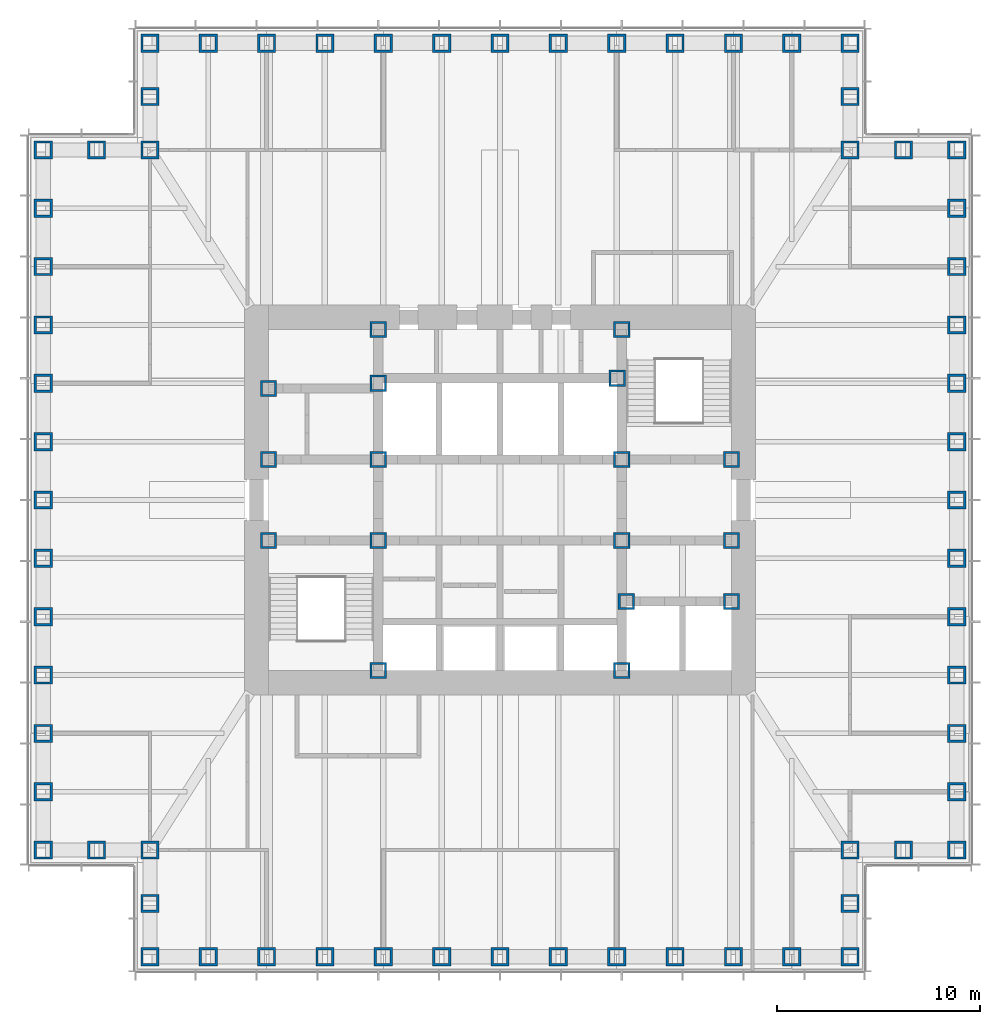
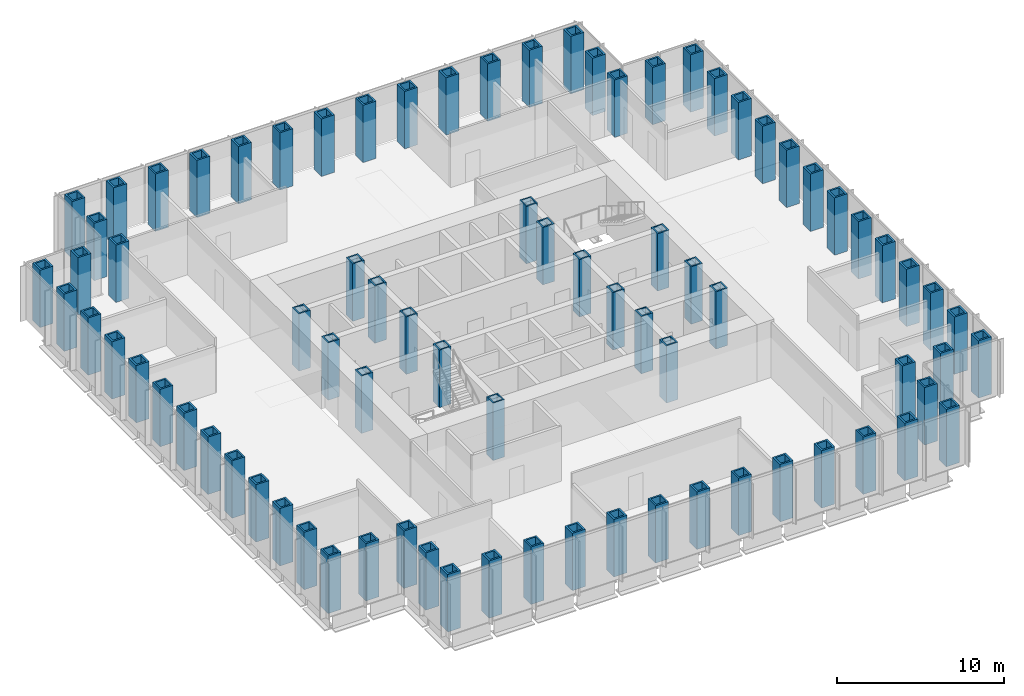
# One storey, part 1 of 17: 81 columns.
"""IFC4 building model written with IfcOpenShell, lengths in metres."""

from ifc_helpers import new_model, si_unit, direction, frame, origin, origin_2d, place, context, subcontext, project, spatial, hollow_rectangle, extrude, material, material_profile, profile_set, type_object, element, save


model = new_model("IFC4")

# Units and contexts
model_context = context("Model", 3, precision=1e-05, world=origin(), true_north=direction((0.0, 1.0)))
body_context = subcontext(model_context, "Body", "Model", "MODEL_VIEW")
ifc_project = project(units=[si_unit("LENGTHUNIT", "METRE"), si_unit("AREAUNIT", "SQUARE_METRE"), si_unit("VOLUMEUNIT", "CUBIC_METRE"), si_unit("PLANEANGLEUNIT", "RADIAN"), si_unit("MASSUNIT", "GRAM", prefix="KILO")], contexts=[model_context])

# Site, building, storey
site_placement = place(None, origin())
site = spatial("IfcSite", under=ifc_project, at=site_placement, CompositionType="ELEMENT")
building_placement = place(site_placement, origin())
building = spatial("IfcBuilding", under=site, at=building_placement, Name="Daluyong Arena Tower", CompositionType="ELEMENT")
storey_placement = place(building_placement, frame((0.0, 0.0, 150.10009765625)))
storey = spatial("IfcBuildingStorey", under=building, at=storey_placement, Name="L33", CompositionType="ELEMENT", Elevation=150.10009765625)

# Columns
ifc_material_1 = material(Name="Steel ASTM A572 Grade 50", Category="steel")
ifc_material_profile_1 = material_profile(ifc_material_1, hollow_rectangle(XDim=0.800048828125, YDim=0.800048828125, WallThickness=0.1, at=origin_2d()))
ifc_profile_set_1 = profile_set([ifc_material_profile_1], Name="Steel ASTM A572 Grade 50")
column_type_1 = type_object("IfcColumnType", Name="Core boundary column BX800X100", PredefinedType="COLUMN", material=ifc_profile_set_1)
for number, where, z_axis, x_axis, name in (
    (1, (44.60009765625, 78.0, 0.0), (0.0, 0.0, 1.0), (1.0, 0.0, 0.0), "core boundary column BC2"),
    (2, (44.60009765625, 82.0, 0.0), (0.0, 0.0, 1.0), (1.0, 0.0, 0.0), "core boundary column BC2"),
    (3, (44.60009765625, 85.5, 0.0), (0.0, 0.0, 1.0), (1.0, 0.0, 0.0), "core boundary column BC2"),
    (4, (50.0, 71.60009765625, 0.0), (0.0, 0.0, 1.0), (1.0, 0.0, 0.0), "core boundary column BC2"),
    (5, (50.0, 78.0, 0.0), (0.0, 0.0, 1.0), (1.0, 0.0, 0.0), "core boundary column BC2"),
    (6, (50.0, 82.0, 0.0), (0.0, 0.0, 1.0), (1.0, 0.0, 0.0), "core boundary column BC2"),
    (7, (50.0, 85.75, 0.0), (0.0, 0.0, 1.0), (1.0, 0.0, 0.0), "core boundary column BC2"),
    (8, (50.0, 88.39990234375, 0.0), (0.0, 0.0, 1.0), (1.0, 0.0, 0.0), "core boundary column BC2"),
    (9, (61.77490234375, 86.0, 0.0), (0.0, 0.0, 1.0), (1.0, 0.0, 0.0), "core boundary column BC2"),
    (10, (62.0, 71.60009765625, 0.0), (0.0, 0.0, 1.0), (1.0, 0.0, 0.0), "core boundary column BC2"),
    (11, (62.0, 78.0, 0.0), (0.0, 0.0, 1.0), (1.0, 0.0, 0.0), "core boundary column BC2"),
    (12, (62.0, 82.0, 0.0), (0.0, 0.0, 1.0), (1.0, 0.0, 0.0), "core boundary column BC2"),
    (13, (62.0, 88.39990234375, 0.0), (0.0, 0.0, 1.0), (1.0, 0.0, 0.0), "core boundary column BC2"),
    (14, (62.22509765625, 75.0, 0.0), (0.0, 0.0, 1.0), (1.0, 0.0, 0.0), "core boundary column BC2"),
    (15, (67.39990234375, 75.0, 0.0), (0.0, 0.0, 1.0), (1.0, 0.0, 0.0), "core boundary column BC2"),
    (16, (67.39990234375, 78.0, 0.0), (0.0, 0.0, 1.0), (1.0, 0.0, 0.0), "core boundary column BC2"),
    (17, (67.39990234375, 82.0, 0.0), (0.0, 0.0, 1.0), (1.0, 0.0, 0.0), "core boundary column BC2"),
):
    element("IfcColumn", number, at=place(storey_placement, frame(where, z_axis=z_axis, x_axis=x_axis)), inside=storey, type_object=column_type_1, Name=name, PredefinedType="COLUMN", context=body_context, shape_type="SweptSolid", body=[
        extrude(hollow_rectangle(XDim=0.800048828125, YDim=0.800048828125, WallThickness=0.1, at=origin_2d()), origin(), (0.0, 0.0, 1.0), 4.199951171875),
    ])
ifc_material_2 = material(Name="Steel ASTM A588 Grade 50", Category="steel")
ifc_material_profile_2 = material_profile(ifc_material_2, hollow_rectangle(XDim=0.89990234375, YDim=0.89990234375, WallThickness=0.12, at=origin_2d()))
ifc_profile_set_2 = profile_set([ifc_material_profile_2], Name="Steel ASTM A588 Grade 50")
column_type_2 = type_object("IfcColumnType", Name="Tube column BX900X120 BX900X120", PredefinedType="COLUMN", material=ifc_profile_set_2)
for number, where, z_axis, x_axis, name in (
    (18, (38.75, 57.5, 0.0), (0.0, 0.0, 1.0), (1.0, 0.0, 0.0), "tube column bx900x120 TC4"),
    (19, (41.625, 57.5, 0.0), (0.0, 0.0, 1.0), (1.0, 0.0, 0.0), "tube column bx900x120 TC4"),
    (20, (44.5, 57.5, 0.0), (0.0, 0.0, 1.0), (1.0, 0.0, 0.0), "tube column bx900x120 TC4"),
    (21, (47.375, 57.5, 0.0), (0.0, 0.0, 1.0), (1.0, 0.0, 0.0), "tube column bx900x120 TC4"),
    (22, (50.25, 57.5, 0.0), (0.0, 0.0, 1.0), (1.0, 0.0, 0.0), "tube column bx900x120 TC4"),
    (23, (53.125, 57.5, 0.0), (0.0, 0.0, 1.0), (1.0, 0.0, 0.0), "tube column bx900x120 TC4"),
    (24, (56.0, 57.5, 0.0), (0.0, 0.0, 1.0), (1.0, 0.0, 0.0), "tube column bx900x120 TC4"),
    (25, (58.875, 57.5, 0.0), (0.0, 0.0, 1.0), (1.0, 0.0, 0.0), "tube column bx900x120 TC4"),
    (26, (61.75, 57.5, 0.0), (0.0, 0.0, 1.0), (1.0, 0.0, 0.0), "tube column bx900x120 TC4"),
    (27, (64.625, 57.5, 0.0), (0.0, 0.0, 1.0), (1.0, 0.0, 0.0), "tube column bx900x120 TC4"),
    (28, (67.5, 57.5, 0.0), (0.0, 0.0, 1.0), (1.0, 0.0, 0.0), "tube column bx900x120 TC4"),
    (29, (70.375, 57.5, 0.0), (0.0, 0.0, 1.0), (1.0, 0.0, 0.0), "tube column bx900x120 TC4"),
    (30, (73.25, 57.5, 0.0), (0.0, 0.0, 1.0), (0.0, 1.0, 0.0), "tube column bx900x120 TC4"),
    (31, (73.25, 60.125, 0.0), (0.0, 0.0, 1.0), (0.0, 1.0, 0.0), "tube column bx900x120 TC4"),
    (32, (73.25, 62.75, 0.0), (0.0, 0.0, 1.0), (1.0, 0.0, 0.0), "tube column bx900x120 TC4"),
    (33, (75.875, 62.75, 0.0), (0.0, 0.0, 1.0), (1.0, 0.0, 0.0), "tube column bx900x120 TC4"),
    (34, (78.5, 62.75, 0.0), (0.0, 0.0, 1.0), (0.0, 1.0, 0.0), "tube column bx900x120 TC4"),
    (35, (78.5, 65.625, 0.0), (0.0, 0.0, 1.0), (0.0, 1.0, 0.0), "tube column bx900x120 TC4"),
    (36, (78.5, 68.5, 0.0), (0.0, 0.0, 1.0), (0.0, 1.0, 0.0), "tube column bx900x120 TC4"),
    (37, (78.5, 71.375, 0.0), (0.0, 0.0, 1.0), (0.0, 1.0, 0.0), "tube column bx900x120 TC4"),
    (38, (78.5, 74.25, 0.0), (0.0, 0.0, 1.0), (0.0, 1.0, 0.0), "tube column bx900x120 TC4"),
    (39, (78.5, 77.125, 0.0), (0.0, 0.0, 1.0), (0.0, 1.0, 0.0), "tube column bx900x120 TC4"),
    (40, (78.5, 80.0, 0.0), (0.0, 0.0, 1.0), (0.0, 1.0, 0.0), "tube column bx900x120 TC4"),
    (41, (78.5, 82.875, 0.0), (0.0, 0.0, 1.0), (0.0, 1.0, 0.0), "tube column bx900x120 TC4"),
    (42, (78.5, 85.75, 0.0), (0.0, 0.0, 1.0), (0.0, 1.0, 0.0), "tube column bx900x120 TC4"),
    (43, (78.5, 88.625, 0.0), (0.0, 0.0, 1.0), (0.0, 1.0, 0.0), "tube column bx900x120 TC4"),
    (44, (78.5, 91.5, 0.0), (0.0, 0.0, 1.0), (0.0, 1.0, 0.0), "tube column bx900x120 TC4"),
    (45, (78.5, 94.375, 0.0), (0.0, 0.0, 1.0), (0.0, 1.0, 0.0), "tube column bx900x120 TC4"),
    (46, (78.5, 97.25, 0.0), (0.0, 0.0, 1.0), (1.0, 0.0, 0.0), "tube column bx900x120 TC4"),
    (47, (75.875, 97.25, 0.0), (0.0, 0.0, 1.0), (1.0, 0.0, 0.0), "tube column bx900x120 TC4"),
    (48, (73.25, 97.25, 0.0), (0.0, 0.0, 1.0), (0.0, 1.0, 0.0), "tube column bx900x120 TC4"),
    (49, (73.25, 99.875, 0.0), (0.0, 0.0, 1.0), (0.0, 1.0, 0.0), "tube column bx900x120 TC4"),
    (50, (73.25, 102.5, 0.0), (0.0, 0.0, 1.0), (1.0, 0.0, 0.0), "tube column bx900x120 TC4"),
    (51, (70.375, 102.5, 0.0), (0.0, 0.0, 1.0), (1.0, 0.0, 0.0), "tube column bx900x120 TC4"),
    (52, (67.5, 102.5, 0.0), (0.0, 0.0, 1.0), (1.0, 0.0, 0.0), "tube column bx900x120 TC4"),
    (53, (64.625, 102.5, 0.0), (0.0, 0.0, 1.0), (1.0, 0.0, 0.0), "tube column bx900x120 TC4"),
    (54, (61.75, 102.5, 0.0), (0.0, 0.0, 1.0), (1.0, 0.0, 0.0), "tube column bx900x120 TC4"),
    (55, (58.875, 102.5, 0.0), (0.0, 0.0, 1.0), (1.0, 0.0, 0.0), "tube column bx900x120 TC4"),
    (56, (56.0, 102.5, 0.0), (0.0, 0.0, 1.0), (1.0, 0.0, 0.0), "tube column bx900x120 TC4"),
    (57, (53.125, 102.5, 0.0), (0.0, 0.0, 1.0), (1.0, 0.0, 0.0), "tube column bx900x120 TC4"),
    (58, (50.25, 102.5, 0.0), (0.0, 0.0, 1.0), (1.0, 0.0, 0.0), "tube column bx900x120 TC4"),
    (59, (47.375, 102.5, 0.0), (0.0, 0.0, 1.0), (1.0, 0.0, 0.0), "tube column bx900x120 TC4"),
    (60, (44.5, 102.5, 0.0), (0.0, 0.0, 1.0), (1.0, 0.0, 0.0), "tube column bx900x120 TC4"),
    (61, (41.625, 102.5, 0.0), (0.0, 0.0, 1.0), (1.0, 0.0, 0.0), "tube column bx900x120 TC4"),
    (62, (38.75, 102.5, 0.0), (0.0, 0.0, 1.0), (0.0, 1.0, 0.0), "tube column bx900x120 TC4"),
    (63, (38.75, 99.875, 0.0), (0.0, 0.0, 1.0), (0.0, 1.0, 0.0), "tube column bx900x120 TC4"),
    (64, (38.75, 97.25, 0.0), (0.0, 0.0, 1.0), (1.0, 0.0, 0.0), "tube column bx900x120 TC4"),
    (65, (36.125, 97.25, 0.0), (0.0, 0.0, 1.0), (1.0, 0.0, 0.0), "tube column bx900x120 TC4"),
    (66, (33.5, 97.25, 0.0), (0.0, 0.0, 1.0), (0.0, 1.0, 0.0), "tube column bx900x120 TC4"),
    (67, (33.5, 94.375, 0.0), (0.0, 0.0, 1.0), (0.0, 1.0, 0.0), "tube column bx900x120 TC4"),
    (68, (33.5, 91.5, 0.0), (0.0, 0.0, 1.0), (0.0, 1.0, 0.0), "tube column bx900x120 TC4"),
    (69, (33.5, 88.625, 0.0), (0.0, 0.0, 1.0), (0.0, 1.0, 0.0), "tube column bx900x120 TC4"),
    (70, (33.5, 85.75, 0.0), (0.0, 0.0, 1.0), (0.0, 1.0, 0.0), "tube column bx900x120 TC4"),
    (71, (33.5, 82.875, 0.0), (0.0, 0.0, 1.0), (0.0, 1.0, 0.0), "tube column bx900x120 TC4"),
    (72, (33.5, 80.0, 0.0), (0.0, 0.0, 1.0), (0.0, 1.0, 0.0), "tube column bx900x120 TC4"),
    (73, (33.5, 77.125, 0.0), (0.0, 0.0, 1.0), (0.0, 1.0, 0.0), "tube column bx900x120 TC4"),
    (74, (33.5, 74.25, 0.0), (0.0, 0.0, 1.0), (0.0, 1.0, 0.0), "tube column bx900x120 TC4"),
    (75, (33.5, 71.375, 0.0), (0.0, 0.0, 1.0), (0.0, 1.0, 0.0), "tube column bx900x120 TC4"),
    (76, (33.5, 68.5, 0.0), (0.0, 0.0, 1.0), (0.0, 1.0, 0.0), "tube column bx900x120 TC4"),
    (77, (33.5, 65.625, 0.0), (0.0, 0.0, 1.0), (0.0, 1.0, 0.0), "tube column bx900x120 TC4"),
    (78, (33.5, 62.75, 0.0), (0.0, 0.0, 1.0), (1.0, 0.0, 0.0), "tube column bx900x120 TC4"),
    (79, (36.125, 62.75, 0.0), (0.0, 0.0, 1.0), (1.0, 0.0, 0.0), "tube column bx900x120 TC4"),
    (80, (38.75, 62.75, 0.0), (0.0, 0.0, 1.0), (0.0, 1.0, 0.0), "tube column bx900x120 TC4"),
    (81, (38.75, 60.125, 0.0), (0.0, 0.0, 1.0), (0.0, 1.0, 0.0), "tube column bx900x120 TC4"),
):
    element("IfcColumn", number, at=place(storey_placement, frame(where, z_axis=z_axis, x_axis=x_axis)), inside=storey, type_object=column_type_2, Name=name, PredefinedType="COLUMN", context=body_context, shape_type="SweptSolid", body=[
        extrude(hollow_rectangle(XDim=0.89990234375, YDim=0.89990234375, WallThickness=0.12, at=origin_2d()), origin(), (0.0, 0.0, 1.0), 4.199951171875),
    ])

save(model, "model.ifc")
